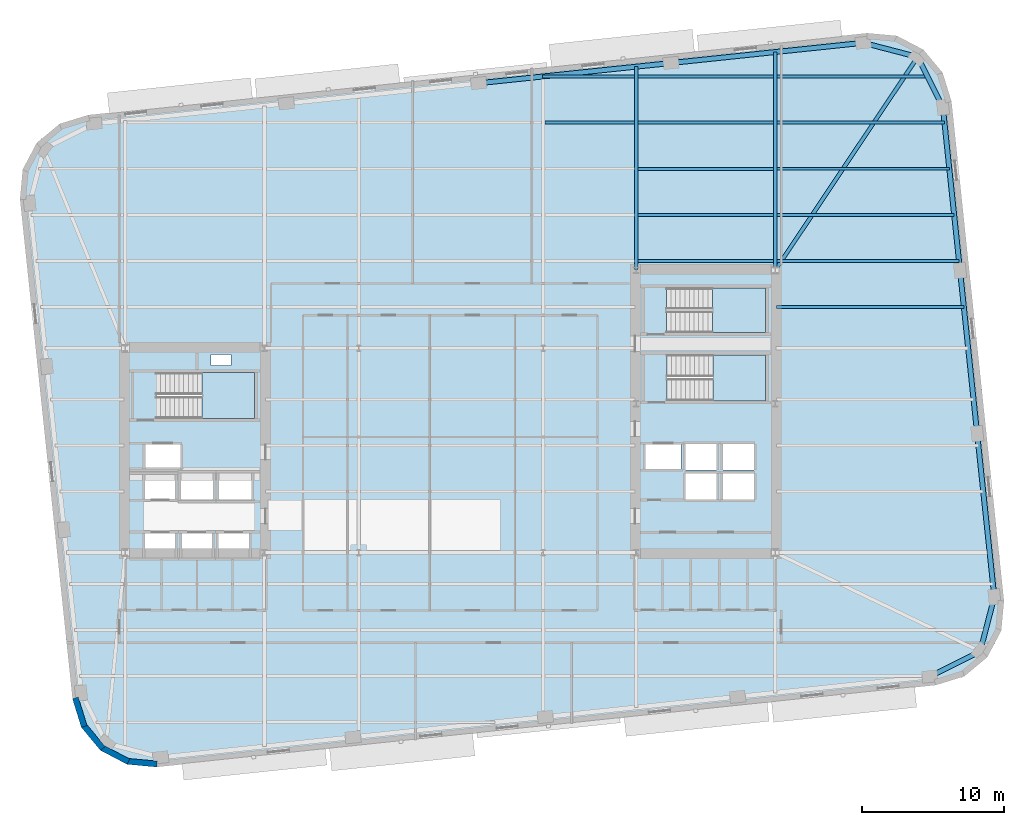
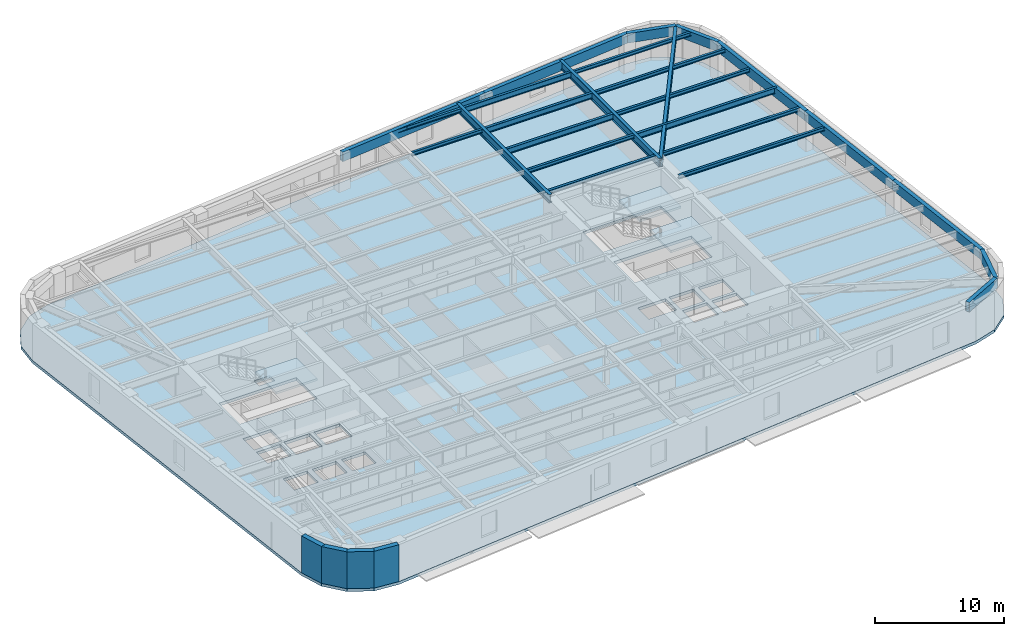
# One storey, part 3 of 12: 25 beams, 4 slabs, 4 walls, 3 elements without a shape of their own.
"""IFC4 building model written with IfcOpenShell, lengths in metres."""

from ifc_helpers import new_model, si_unit, direction, frame, frame_2d, origin, origin_2d, place, context, subcontext, project, spatial, polyline, rectangle, hollow_rectangle, i_section, outline, extrude, material, layer, layer_set, material_profile, profile_set, type_object, element, aggregate, save


model = new_model("IFC4")

# Units and contexts
model_context = context("Model", 3, precision=1e-05, world=origin(), true_north=direction((0.0, 1.0)))
body_context = subcontext(model_context, "Body", "Model", "MODEL_VIEW")
ifc_project = project(units=[si_unit("LENGTHUNIT", "METRE"), si_unit("AREAUNIT", "SQUARE_METRE"), si_unit("VOLUMEUNIT", "CUBIC_METRE"), si_unit("PLANEANGLEUNIT", "RADIAN"), si_unit("MASSUNIT", "GRAM", prefix="KILO")], contexts=[model_context])

# Site, building, storey
site_placement = place(None, origin())
site = spatial("IfcSite", under=ifc_project, at=site_placement, CompositionType="ELEMENT")
building_placement = place(site_placement, origin())
building = spatial("IfcBuilding", under=site, at=building_placement, Name="Kolvaren Arena Tower", CompositionType="ELEMENT")
storey_placement = place(building_placement, frame((0.0, 0.0, 138.25)))
storey = spatial("IfcBuildingStorey", under=building, at=storey_placement, Name="L32", CompositionType="ELEMENT", Elevation=138.25)

# Beams
ifc_material_1 = material(Name="Steel CSA G40.21 350W", Category="steel")
ifc_material_profile_1 = material_profile(ifc_material_1, i_section(OverallWidth=0.2119140625, OverallDepth=0.54296875, WebThickness=0.01318359375, FlangeThickness=0.0244140625, FilletRadius=0.013916015625, at=origin_2d()), Name="W530x150")
ifc_profile_set_1 = profile_set([ifc_material_profile_1], Name="Steel CSA G40.21 350W")
beam_type_1 = type_object("IfcBeamType", Name="BEAM-F1", PredefinedType="BEAM", material=ifc_profile_set_1)
beam_1_placement = place(storey_placement, frame((60.485107421875, 43.25, 3.20849609375), z_axis=(1.0, 0.0, 0.0), x_axis=(0.0, 1.0, 0.0)))
element("IfcBeam", 1, at=beam_1_placement, inside=storey, type_object=beam_type_1, Name="Composite Floor Beam (L32)", PredefinedType="BEAM", context=body_context, shape_type="SweptSolid", body=[
    extrude(i_section(OverallWidth=0.2119140625, OverallDepth=0.54296875, WebThickness=0.01318359375, FlangeThickness=0.0244140625, FilletRadius=0.013916015625, at=origin_2d()), origin(), (0.0, 0.0, 1.0), 12.471435546875),
])
for number, where, z_axis, x_axis, name in (
    (2, (50.68505859375, 46.5, 3.20849609375), (1.0, 0.0, 0.0), (0.0, 1.0, 0.0), "Composite Floor Beam (L32)"),
    (3, (50.68505859375, 49.75, 3.20849609375), (1.0, 0.0, 0.0), (0.0, 1.0, 0.0), "Composite Floor Beam (L32)"),
    (4, (50.68505859375, 53.0, 3.20849609375), (1.0, 0.0, 0.0), (0.0, 1.0, 0.0), "Composite Floor Beam (L32)"),
):
    element("IfcBeam", number, at=place(storey_placement, frame(where, z_axis=z_axis, x_axis=x_axis)), inside=storey, type_object=beam_type_1, Name=name, PredefinedType="BEAM", context=body_context, shape_type="SweptSolid", body=[
        extrude(i_section(OverallWidth=0.2119140625, OverallDepth=0.54296875, WebThickness=0.01318359375, FlangeThickness=0.0244140625, FilletRadius=0.013916015625, at=origin_2d()), origin(), (0.0, 0.0, 1.0), 9.530029296875),
    ])
ifc_material_profile_2 = material_profile(ifc_material_1, i_section(OverallWidth=0.27001953125, OverallDepth=0.77294921875, WebThickness=0.019287109375, FlangeThickness=0.033447265625, FilletRadius=0.01806640625, at=origin_2d()), Name="W760x257")
ifc_profile_set_2 = profile_set([ifc_material_profile_2], Name="Steel CSA G40.21 350W")
beam_type_2 = type_object("IfcBeamType", Name="GIRD-T1", PredefinedType="BEAM", material=ifc_profile_set_2)
beam_2_placement = place(storey_placement, frame((70.387939453125, 54.37939453125, 3.093505859375), z_axis=(-0.555401401293, -0.831582397266, 0.0), x_axis=(0.831582397266, -0.555401401293, 0.0)))
element("IfcBeam", 5, at=beam_2_placement, inside=storey, type_object=beam_type_2, Name="Corner Diagonal Tie Girder (L32)", PredefinedType="BEAM", context=body_context, shape_type="SweptSolid", body=[
    extrude(i_section(OverallWidth=0.27001953125, OverallDepth=0.77294921875, WebThickness=0.019287109375, FlangeThickness=0.033447265625, FilletRadius=0.01806640625, at=origin_2d()), origin(), (0.0, 0.0, 1.0), 18.0732421875),
])
beam_3_placement = place(storey_placement, frame((50.550048828125, 39.405029296875, 3.093505859375), z_axis=(0.0, 1.0, 0.0), x_axis=(-1.0, 0.0, 0.0)))
element("IfcBeam", 6, at=beam_3_placement, inside=storey, type_object=beam_type_2, Name="Primary Floor Girder (L32)", PredefinedType="BEAM", context=body_context, shape_type="SweptSolid", body=[
    extrude(i_section(OverallWidth=0.27001953125, OverallDepth=0.77294921875, WebThickness=0.019287109375, FlangeThickness=0.033447265625, FilletRadius=0.01806640625, at=origin_2d()), origin(), (0.0, 0.0, 1.0), 14.288330078125),
])
beam_4_placement = place(storey_placement, frame((60.35009765625, 39.405029296875, 3.093505859375), z_axis=(0.0, 1.0, 0.0), x_axis=(-1.0, 0.0, 0.0)))
element("IfcBeam", 7, at=beam_4_placement, inside=storey, type_object=beam_type_2, Name="Primary Floor Girder (L32)", PredefinedType="BEAM", context=body_context, shape_type="SweptSolid", body=[
    extrude(i_section(OverallWidth=0.27001953125, OverallDepth=0.77294921875, WebThickness=0.019287109375, FlangeThickness=0.033447265625, FilletRadius=0.01806640625, at=origin_2d()), origin(), (0.0, 0.0, 1.0), 15.318359375),
])
ifc_material_profile_3 = material_profile(ifc_material_1, i_section(OverallWidth=0.202880859375, OverallDepth=0.346923828125, WebThickness=0.0078125, FlangeThickness=0.013427734375, FilletRadius=0.010986328125, at=origin_2d()), Name="W360x64")
ifc_profile_set_3 = profile_set([ifc_material_profile_3], Name="Steel CSA G40.21 350W")
beam_type_3 = type_object("IfcBeamType", Name="JOIST-01", PredefinedType="JOIST", material=ifc_profile_set_3)
beam_5_placement = place(storey_placement, frame((60.445068359375, 36.75, 3.306396484375), z_axis=(1.0, 0.0, 0.0), x_axis=(0.0, 1.0, 0.0)))
element("IfcBeam", 8, at=beam_5_placement, inside=storey, type_object=beam_type_3, Name="Composite Floor Joist (L32)", PredefinedType="JOIST", context=body_context, shape_type="SweptSolid", body=[
    extrude(i_section(OverallWidth=0.202880859375, OverallDepth=0.346923828125, WebThickness=0.0078125, FlangeThickness=0.013427734375, FilletRadius=0.010986328125, at=origin_2d()), origin(), (0.0, 0.0, 1.0), 13.19482421875),
])
beam_6_placement = place(storey_placement, frame((50.68505859375, 40.0, 3.306396484375), z_axis=(1.0, 0.0, 0.0), x_axis=(0.0, 1.0, 0.0)))
element("IfcBeam", 9, at=beam_6_placement, inside=storey, type_object=beam_type_3, Name="Composite Floor Joist (L32)", PredefinedType="JOIST", context=body_context, shape_type="SweptSolid", body=[
    extrude(i_section(OverallWidth=0.202880859375, OverallDepth=0.346923828125, WebThickness=0.0078125, FlangeThickness=0.013427734375, FilletRadius=0.010986328125, at=origin_2d()), origin(), (0.0, 0.0, 1.0), 9.530029296875),
])
beam_7_placement = place(storey_placement, frame((60.485107421875, 40.0, 3.306396484375), z_axis=(1.0, 0.0, 0.0), x_axis=(0.0, 1.0, 0.0)))
element("IfcBeam", 10, at=beam_7_placement, inside=storey, type_object=beam_type_3, Name="Composite Floor Joist (L32)", PredefinedType="JOIST", context=body_context, shape_type="SweptSolid", body=[
    extrude(i_section(OverallWidth=0.202880859375, OverallDepth=0.346923828125, WebThickness=0.0078125, FlangeThickness=0.013427734375, FilletRadius=0.010986328125, at=origin_2d()), origin(), (0.0, 0.0, 1.0), 12.81298828125),
])
beam_8_placement = place(storey_placement, frame((50.68505859375, 43.25, 3.306396484375), z_axis=(1.0, 0.0, 0.0), x_axis=(0.0, 1.0, 0.0)))
element("IfcBeam", 11, at=beam_8_placement, inside=storey, type_object=beam_type_3, Name="Composite Floor Joist (L32)", PredefinedType="JOIST", context=body_context, shape_type="SweptSolid", body=[
    extrude(i_section(OverallWidth=0.202880859375, OverallDepth=0.346923828125, WebThickness=0.0078125, FlangeThickness=0.013427734375, FilletRadius=0.010986328125, at=origin_2d()), origin(), (0.0, 0.0, 1.0), 9.530029296875),
])
beam_9_placement = place(storey_placement, frame((60.485107421875, 46.5, 3.306396484375), z_axis=(1.0, 0.0, 0.0), x_axis=(0.0, 1.0, 0.0)))
element("IfcBeam", 12, at=beam_9_placement, inside=storey, type_object=beam_type_3, Name="Composite Floor Joist (L32)", PredefinedType="JOIST", context=body_context, shape_type="SweptSolid", body=[
    extrude(i_section(OverallWidth=0.202880859375, OverallDepth=0.346923828125, WebThickness=0.0078125, FlangeThickness=0.013427734375, FilletRadius=0.010986328125, at=origin_2d()), origin(), (0.0, 0.0, 1.0), 12.1298828125),
])
beam_10_placement = place(storey_placement, frame((44.135009765625, 49.75, 3.306396484375), z_axis=(1.0, 0.0, 0.0), x_axis=(0.0, 1.0, 0.0)))
element("IfcBeam", 13, at=beam_10_placement, inside=storey, type_object=beam_type_3, Name="Composite Floor Joist (L32)", PredefinedType="JOIST", context=body_context, shape_type="SweptSolid", body=[
    extrude(i_section(OverallWidth=0.202880859375, OverallDepth=0.346923828125, WebThickness=0.0078125, FlangeThickness=0.013427734375, FilletRadius=0.010986328125, at=origin_2d()), origin(), (0.0, 0.0, 1.0), 6.280029296875),
])
beam_11_placement = place(storey_placement, frame((60.485107421875, 49.75, 3.306396484375), z_axis=(1.0, 0.0, 0.0), x_axis=(0.0, 1.0, 0.0)))
element("IfcBeam", 14, at=beam_11_placement, inside=storey, type_object=beam_type_3, Name="Composite Floor Joist (L32)", PredefinedType="JOIST", context=body_context, shape_type="SweptSolid", body=[
    extrude(i_section(OverallWidth=0.202880859375, OverallDepth=0.346923828125, WebThickness=0.0078125, FlangeThickness=0.013427734375, FilletRadius=0.010986328125, at=origin_2d()), origin(), (0.0, 0.0, 1.0), 11.788330078125),
])
beam_12_placement = place(storey_placement, frame((43.95361328125, 53.0, 3.306396484375), z_axis=(1.0, 0.0, 0.0), x_axis=(0.0, 1.0, 0.0)))
element("IfcBeam", 15, at=beam_12_placement, inside=storey, type_object=beam_type_3, Name="Composite Floor Joist (L32)", PredefinedType="JOIST", context=body_context, shape_type="SweptSolid", body=[
    extrude(i_section(OverallWidth=0.202880859375, OverallDepth=0.346923828125, WebThickness=0.0078125, FlangeThickness=0.013427734375, FilletRadius=0.010986328125, at=origin_2d()), origin(), (0.0, 0.0, 1.0), 6.46142578125),
])
beam_13_placement = place(storey_placement, frame((60.485107421875, 53.0, 3.306396484375), z_axis=(1.0, 0.0, 0.0), x_axis=(0.0, 1.0, 0.0)))
element("IfcBeam", 16, at=beam_13_placement, inside=storey, type_object=beam_type_3, Name="Composite Floor Joist (L32)", PredefinedType="JOIST", context=body_context, shape_type="SweptSolid", body=[
    extrude(i_section(OverallWidth=0.202880859375, OverallDepth=0.346923828125, WebThickness=0.0078125, FlangeThickness=0.013427734375, FilletRadius=0.010986328125, at=origin_2d()), origin(), (0.0, 0.0, 1.0), 10.592529296875),
])
ifc_material_2 = material(Name="Steel CSA G40.21 350WT", Category="steel")
ifc_material_profile_4 = material_profile(ifc_material_2, hollow_rectangle(XDim=0.35009765625, YDim=0.89990234375, WallThickness=0.02001953125, at=origin_2d()), Name="HSS 900x350x20")
ifc_profile_set_4 = profile_set([ifc_material_profile_4], Name="Steel CSA G40.21 350WT")
beam_type_4 = type_object("IfcBeamType", Name="SPAND-01", PredefinedType="SPANDREL", material=ifc_profile_set_4)
for number, where, z_axis, x_axis, name in (
    (17, (71.247314453125, 10.721435546875, 3.030029296875), (0.894451843771, 0.44716428656, 0.0), (-0.44716428656, 0.894451843771, 0.0), "Perimeter Spandrel Beam (L32)"),
    (18, (74.790283203125, 12.49267578125, 3.030029296875), (0.251473350892, 0.967864222808, 0.0), (-0.967864222808, 0.251473350892, 0.0), "Perimeter Spandrel Beam (L32)"),
):
    element("IfcBeam", number, at=place(storey_placement, frame(where, z_axis=z_axis, x_axis=x_axis)), inside=storey, type_object=beam_type_4, Name=name, PredefinedType="SPANDREL", context=body_context, shape_type="SweptSolid", body=[
        extrude(hollow_rectangle(XDim=0.35009765625, YDim=0.89990234375, WallThickness=0.02001953125, at=origin_2d()), origin(), (0.0, 0.0, 1.0), 3.9609375),
    ])
beam_14_placement = place(storey_placement, frame((75.786376953125, 16.326416015625, 3.030029296875), z_axis=(-0.104522171998, 0.994522556587, 0.0), x_axis=(-0.994522556587, -0.104522171998, 0.0)))
element("IfcBeam", 19, at=beam_14_placement, inside=storey, type_object=beam_type_4, Name="Perimeter Spandrel Beam (L32)", PredefinedType="SPANDREL", context=body_context, shape_type="SweptSolid", body=[
    extrude(hollow_rectangle(XDim=0.35009765625, YDim=0.89990234375, WallThickness=0.02001953125, at=origin_2d()), origin(), (0.0, 0.0, 1.0), 11.56689453125),
])
beam_15_placement = place(storey_placement, frame((74.577392578125, 27.829833984375, 3.030029296875), z_axis=(-0.104524366116, 0.994522325988, 0.0), x_axis=(-0.994522325988, -0.104524366116, 0.0)))
element("IfcBeam", 20, at=beam_15_placement, inside=storey, type_object=beam_type_4, Name="Perimeter Spandrel Beam (L32)", PredefinedType="SPANDREL", context=body_context, shape_type="SweptSolid", body=[
    extrude(hollow_rectangle(XDim=0.35009765625, YDim=0.89990234375, WallThickness=0.02001953125, at=origin_2d()), origin(), (0.0, 0.0, 1.0), 11.566650390625),
])
beam_16_placement = place(storey_placement, frame((73.368408203125, 39.3330078125, 3.030029296875), z_axis=(-0.104543048399, 0.994520362301, 0.0), x_axis=(-0.994520362301, -0.104543048399, 0.0)))
element("IfcBeam", 21, at=beam_16_placement, inside=storey, type_object=beam_type_4, Name="Perimeter Spandrel Beam (L32)", PredefinedType="SPANDREL", context=body_context, shape_type="SweptSolid", body=[
    extrude(hollow_rectangle(XDim=0.35009765625, YDim=0.89990234375, WallThickness=0.02001953125, at=origin_2d()), origin(), (0.0, 0.0, 1.0), 11.56689453125),
])
for number, where, z_axis, x_axis, name in (
    (22, (72.1591796875, 50.83642578125, 3.030029296875), (-0.44716428656, 0.894451843771, 0.0), (-0.894451843771, -0.44716428656, 0.0), "Perimeter Spandrel Beam (L32)"),
    (23, (70.387939453125, 54.37939453125, 3.030029296875), (-0.967864222808, 0.251473350892, 0.0), (-0.251473350892, -0.967864222808, 0.0), "Perimeter Spandrel Beam (L32)"),
):
    element("IfcBeam", number, at=place(storey_placement, frame(where, z_axis=z_axis, x_axis=x_axis)), inside=storey, type_object=beam_type_4, Name=name, PredefinedType="SPANDREL", context=body_context, shape_type="SweptSolid", body=[
        extrude(hollow_rectangle(XDim=0.35009765625, YDim=0.89990234375, WallThickness=0.02001953125, at=origin_2d()), origin(), (0.0, 0.0, 1.0), 3.9609375),
    ])
beam_17_placement = place(storey_placement, frame((66.55419921875, 55.37548828125, 3.030029296875), z_axis=(-0.994521150946, -0.104535545729, 0.0), x_axis=(0.104535545729, -0.994521150946, 0.0)))
element("IfcBeam", 24, at=beam_17_placement, inside=storey, type_object=beam_type_4, Name="Perimeter Spandrel Beam (L32)", PredefinedType="SPANDREL", context=body_context, shape_type="SweptSolid", body=[
    extrude(hollow_rectangle(XDim=0.35009765625, YDim=0.89990234375, WallThickness=0.02001953125, at=origin_2d()), origin(), (0.0, 0.0, 1.0), 13.625244140625),
])
beam_18_placement = place(storey_placement, frame((53.003662109375, 53.951171875, 3.030029296875), z_axis=(-0.994522817887, -0.104519685718, 0.0), x_axis=(0.104519685718, -0.994522817887, 0.0)))
element("IfcBeam", 25, at=beam_18_placement, inside=storey, type_object=beam_type_4, Name="Perimeter Spandrel Beam (L32)", PredefinedType="SPANDREL", context=body_context, shape_type="SweptSolid", body=[
    extrude(hollow_rectangle(XDim=0.35009765625, YDim=0.89990234375, WallThickness=0.02001953125, at=origin_2d()), origin(), (0.0, 0.0, 1.0), 13.625),
])

# Stair, slab
ifc_material_3 = material(Name="Concrete 45 MPa", Category="concrete")
stair_type_1 = type_object("IfcStairType", Name="STAIR-CORE-165", PredefinedType="HALF_TURN_STAIR", material=ifc_material_3)
stair_1_placement = place(storey_placement, origin())
stair_1 = element("IfcStair", 26, at=stair_1_placement, inside=storey, type_object=stair_type_1, Name="L32 ST-W1", PredefinedType="HALF_TURN_STAIR")
ifc_layer_1 = layer(ifc_material_3, 0.199951171875)
ifc_layer_set_1 = layer_set([ifc_layer_1], Name="Concrete 45 MPa")
slab_type_1 = type_object("IfcSlabType", Name="SLAB-LAND", PredefinedType="LANDING", material=ifc_layer_set_1)
slab_1_placement = place(storey_placement, frame((0.0, 0.0, 1.675048828125)))
slab_1 = element("IfcSlab", 27, at=slab_1_placement, type_object=slab_type_1, Name="ST-W1 landing 1", PredefinedType="LANDING", context=body_context, shape_type="SweptSolid", body=[
    extrude(outline(polyline([(19.9599609375, 28.89990234375), (23.659912109375, 28.89990234375), (23.659912109375, 32.1298828125), (19.9599609375, 32.1298828125), (19.9599609375, 28.89990234375)])), origin(), (0.0, 0.0, 1.0), 0.199951171875),
])
aggregate(stair_1, [slab_1])

stair_2_placement = place(storey_placement, origin())
stair_2 = element("IfcStair", 28, at=stair_2_placement, inside=storey, type_object=stair_type_1, Name="L32 ST-E1", PredefinedType="HALF_TURN_STAIR")
slab_2_placement = place(storey_placement, frame((0.0, 0.0, 1.675048828125)))
slab_2 = element("IfcSlab", 29, at=slab_2_placement, type_object=slab_type_1, Name="ST-E1 landing 1", PredefinedType="LANDING", context=body_context, shape_type="SweptSolid", body=[
    extrude(outline(polyline([(55.9599609375, 30.14990234375), (59.659912109375, 30.14990234375), (59.659912109375, 33.3798828125), (55.9599609375, 33.3798828125), (55.9599609375, 30.14990234375)])), origin(), (0.0, 0.0, 1.0), 0.199951171875),
])
aggregate(stair_2, [slab_2])

stair_type_2 = type_object("IfcStairType", Name="STAIR-CORE-150", PredefinedType="HALF_TURN_STAIR", material=ifc_material_3)
stair_3_placement = place(storey_placement, origin())
stair_3 = element("IfcStair", 30, at=stair_3_placement, inside=storey, type_object=stair_type_2, Name="L32 ST-E2", PredefinedType="HALF_TURN_STAIR")
slab_3_placement = place(storey_placement, frame((0.0, 0.0, 1.675048828125)))
slab_3 = element("IfcSlab", 31, at=slab_3_placement, type_object=slab_type_1, Name="ST-E2 landing 1", PredefinedType="LANDING", context=body_context, shape_type="SweptSolid", body=[
    extrude(outline(polyline([(55.919921875, 34.949951171875), (59.659912109375, 34.949951171875), (59.659912109375, 38.10009765625), (55.919921875, 38.10009765625), (55.919921875, 34.949951171875)])), origin(), (0.0, 0.0, 1.0), 0.199951171875),
])
aggregate(stair_3, [slab_3])

# Slab
ifc_layer_2 = layer(ifc_material_3, 0.27001953125)
ifc_layer_set_2 = layer_set([ifc_layer_2], Name="Concrete 45 MPa")
slab_type_2 = type_object("IfcSlabType", Name="SLAB-OFF2", PredefinedType="FLOOR", material=ifc_layer_set_2)
slab_4_placement = place(storey_placement, frame((0.0, 0.0, -0.27001953125)))
element("IfcSlab", 32, at=slab_4_placement, inside=storey, type_object=slab_type_2, Name="L32 Primary Structural Slab", PredefinedType="FLOOR", context=body_context, shape_type="SweptSolid", body=[
    extrude(outline(polyline([(71.663330078125, 10.111572265625), (73.675537109375, 10.736328125), (75.29541015625, 12.08349609375), (76.276611328125, 13.9482421875), (76.469482421875, 16.04638671875), (72.76904296875, 51.25244140625), (72.144287109375, 53.2646484375), (70.797119140625, 54.884521484375), (68.932373046875, 55.865478515625), (66.834228515625, 56.058349609375), (11.9365234375, 50.28857421875), (9.92431640625, 49.663818359375), (8.304443359375, 48.31640625), (7.323486328125, 46.45166015625), (7.130615234375, 44.353515625), (10.830810546875, 9.1474609375), (11.455810546875, 7.13525390625), (12.802978515625, 5.515380859375), (14.667724609375, 4.534423828125), (16.765869140625, 4.341552734375), (71.663330078125, 10.111572265625)]), holes=[polyline([(15.93505859375, 19.0849609375), (15.93505859375, 20.81494140625), (18.06494140625, 20.81494140625), (18.06494140625, 19.0849609375), (15.93505859375, 19.0849609375)]), polyline([(18.534912109375, 19.0849609375), (18.534912109375, 20.81494140625), (20.6650390625, 20.81494140625), (20.6650390625, 19.0849609375), (18.534912109375, 19.0849609375)]), polyline([(21.135009765625, 19.0849609375), (21.135009765625, 20.81494140625), (23.264892578125, 20.81494140625), (23.264892578125, 19.0849609375), (21.135009765625, 19.0849609375)]), polyline([(18.4599609375, 23.135009765625), (18.4599609375, 25.06494140625), (20.739990234375, 25.06494140625), (20.739990234375, 23.135009765625), (18.4599609375, 23.135009765625)]), polyline([(21.159912109375, 23.135009765625), (21.159912109375, 25.06494140625), (23.43994140625, 25.06494140625), (23.43994140625, 23.135009765625), (21.159912109375, 23.135009765625)]), polyline([(54.030029296875, 23.18505859375), (54.030029296875, 25.014892578125), (56.2099609375, 25.014892578125), (56.2099609375, 23.18505859375), (54.030029296875, 23.18505859375)]), polyline([(56.669921875, 23.18505859375), (56.669921875, 25.014892578125), (58.85009765625, 25.014892578125), (58.85009765625, 23.18505859375), (56.669921875, 23.18505859375)]), polyline([(15.93505859375, 23.235107421875), (15.93505859375, 24.965087890625), (18.06494140625, 24.965087890625), (18.06494140625, 23.235107421875), (15.93505859375, 23.235107421875)]), polyline([(54.030029296875, 25.284912109375), (54.030029296875, 27.114990234375), (56.2099609375, 27.114990234375), (56.2099609375, 25.284912109375), (54.030029296875, 25.284912109375)]), polyline([(56.669921875, 25.284912109375), (56.669921875, 27.114990234375), (58.85009765625, 27.114990234375), (58.85009765625, 25.284912109375), (56.669921875, 25.284912109375)]), polyline([(15.9599609375, 25.3349609375), (15.9599609375, 27.06494140625), (18.43994140625, 27.06494140625), (18.43994140625, 25.3349609375), (15.9599609375, 25.3349609375)]), polyline([(51.219970703125, 25.3349609375), (51.219970703125, 27.06494140625), (53.699951171875, 27.06494140625), (53.699951171875, 25.3349609375), (51.219970703125, 25.3349609375)]), polyline([(16.735107421875, 28.89990234375), (16.735107421875, 32.1298828125), (23.659912109375, 32.1298828125), (23.659912109375, 28.89990234375), (16.735107421875, 28.89990234375)]), polyline([(52.735107421875, 30.14990234375), (52.735107421875, 33.3798828125), (59.659912109375, 33.3798828125), (59.659912109375, 30.14990234375), (52.735107421875, 30.14990234375)]), polyline([(20.60009765625, 32.6201171875), (20.60009765625, 33.39990234375), (22.0, 33.39990234375), (22.0, 32.6201171875), (20.60009765625, 32.6201171875)]), polyline([(52.695068359375, 34.949951171875), (52.695068359375, 38.10009765625), (59.659912109375, 38.10009765625), (59.659912109375, 34.949951171875), (52.695068359375, 34.949951171875)])]), origin(), (0.0, 0.0, 1.0), 0.27001953125),
])

# Walls
ifc_material_4 = material(Name="Precast concrete C50/60", Category="concrete")
ifc_layer_3 = layer(ifc_material_4, 0.419921875)
ifc_layer_set_3 = layer_set([ifc_layer_3], Name="Precast concrete C50/60")
wall_type = type_object("IfcWallType", Name="EXT-PIER1", PredefinedType="SOLIDWALL", material=ifc_layer_set_3)
for number, where, z_axis, x_axis, name in (
    (33, (11.65625, 7.197509765625, 0.0), (0.0, 0.0, 1.0), (-0.296519484366, 0.955026803494, 0.0), "Exterior Precast Masonry-Frame Wall (L32)"),
    (34, (12.964599609375, 5.649658203125, 0.0), (0.0, 0.0, 1.0), (-0.639488914921, 0.768800317178, 0.0), "Exterior Precast Masonry-Frame Wall (L32)"),
    (35, (14.765380859375, 4.72021484375, 0.0), (0.0, 0.0, 1.0), (-0.884940843444, 0.465703450282, 0.0), "Exterior Precast Masonry-Frame Wall (L32)"),
):
    element("IfcWall", number, at=place(storey_placement, frame(where, z_axis=z_axis, x_axis=x_axis)), inside=storey, type_object=wall_type, Name=name, PredefinedType="SOLIDWALL", context=body_context, shape_type="SweptSolid", body=[
        extrude(rectangle(XDim=2.10693359375, YDim=0.419921875, at=frame_2d((1.053466796875, 0.0))), origin(), (0.0, 0.0, 1.0), 3.47998046875),
    ])
wall_placement = place(storey_placement, frame((16.784912109375, 4.55078125, 0.0), z_axis=(0.0, 0.0, 1.0), x_axis=(-0.995811110714, 0.091434303078, 0.0)))
element("IfcWall", 36, at=wall_placement, inside=storey, type_object=wall_type, Name="Exterior Precast Masonry-Frame Wall (L32)", PredefinedType="SOLIDWALL", context=body_context, shape_type="SweptSolid", body=[
    extrude(rectangle(XDim=2.106689453125, YDim=0.419921875, at=frame_2d((1.05322265625, 0.0))), origin(), (0.0, 0.0, 1.0), 3.47998046875),
])

save(model, "model.ifc")
